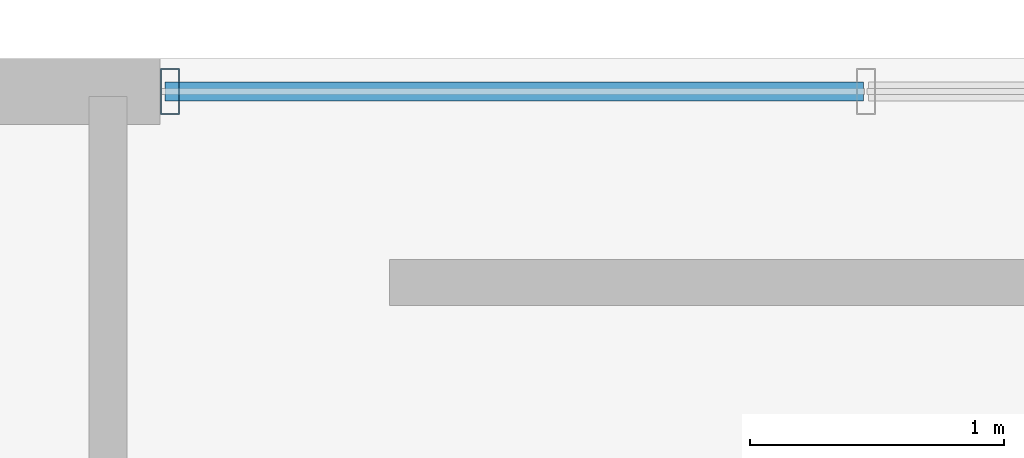
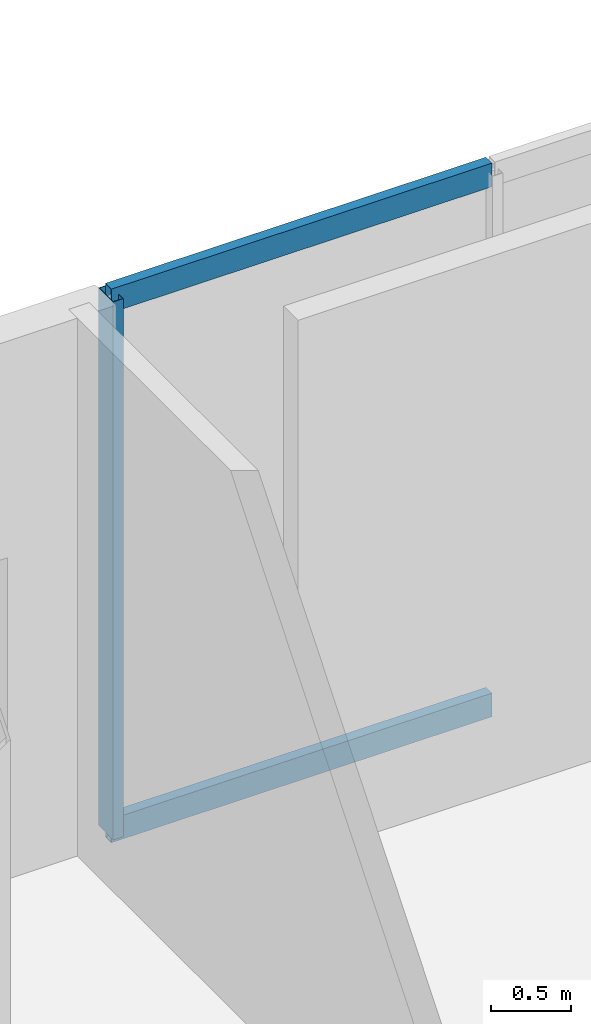
# One storey, part 2 of 10: 3 members, 1 element without a shape of its own.
"""IFC4 building model written with IfcOpenShell, lengths in metres."""

import ifcopenshell
import ifcopenshell.guid

model = None  # the IFC model being written
_history = None  # IfcOwnerHistory: only IFC2X3 demands one
_inside = {}  # id of a spatial element -> (the spatial element, [elements in it])
_under = {}  # id of a project, library or spatial element -> (it, [spatial elements below it])
_declared = {}  # id of a project -> (the project, [libraries it declares])
_typed = {}  # id of a type object -> (the type object, [elements of that type])
_made_of = {}  # id of a material, layer set ... -> (it, [elements and type objects made of it])


def new_model(schema):
    """Start an empty IFC model of exactly this schema.

    Asked for "IFC4X3", IfcOpenShell would pick the latest addendum, in which some entities
    have other attributes; the version numbers below select the first issue.
    IFC2X3 requires an IfcOwnerHistory on every rooted entity: one is made here for all.
    """
    global model, _history
    if schema == "IFC4X3":
        model = ifcopenshell.file(schema_version=(4, 3, 0, 0))
    else:
        model = ifcopenshell.file(schema=schema)
    _inside.clear()
    _under.clear()
    _declared.clear()
    _typed.clear()
    _made_of.clear()
    _history = None
    if model.schema == "IFC2X3":
        org = make("IfcOrganization", Name="unknown")
        user = make(
            "IfcPersonAndOrganization",
            ThePerson=make("IfcPerson", FamilyName="unknown"),
            TheOrganization=org,
        )
        app = make(
            "IfcApplication",
            ApplicationDeveloper=org,
            Version="unknown",
            ApplicationFullName="unknown",
            ApplicationIdentifier="unknown",
        )
        _history = make(
            "IfcOwnerHistory",
            OwningUser=user,
            OwningApplication=app,
            ChangeAction="ADDED",
            CreationDate=0,
        )
    return model


def make(cls, **values):
    """One entity of the class cls with the attributes given. An attribute that is None is left unset."""
    return model.create_entity(
        cls, **{name: value for name, value in values.items() if value is not None}
    )


def rooted(cls, **values):
    """An entity with a GlobalId (a new one), such as an element, a storey or a relation."""
    return make(cls, GlobalId=ifcopenshell.guid.new(), OwnerHistory=_history, **values)


def si_unit(unit_type, name, prefix=None):
    """IfcSIUnit, for example si_unit("LENGTHUNIT", "METRE", prefix="MILLI")."""
    return make("IfcSIUnit", UnitType=unit_type, Prefix=prefix, Name=name)


def assignment(units):
    """IfcUnitAssignment: the units of a project."""
    return None if units is None else make("IfcUnitAssignment", Units=units)


def point(xyz):
    """IfcCartesianPoint."""
    return None if xyz is None else make("IfcCartesianPoint", Coordinates=xyz)


def direction(xyz):
    """IfcDirection."""
    return None if xyz is None else make("IfcDirection", DirectionRatios=xyz)


def frame(location, z_axis=None, x_axis=None):
    """IfcAxis2Placement3D, a coordinate frame: its origin and axes. An axis left out is left unset."""
    return make(
        "IfcAxis2Placement3D",
        Location=point(location),
        Axis=direction(z_axis),
        RefDirection=direction(x_axis),
    )


def frame_2d(location, x_axis=None):
    """IfcAxis2Placement2D, a coordinate frame in the plane: its origin and x axis."""
    return make(
        "IfcAxis2Placement2D", Location=point(location), RefDirection=direction(x_axis)
    )


def origin():
    """The frame at (0, 0, 0) with its axes left unset."""
    return frame((0.0, 0.0, 0.0))


def origin_2d():
    """The frame at (0, 0) in the plane with its x axis left unset."""
    return frame_2d((0.0, 0.0))


def place(relative_to, where):
    """IfcLocalPlacement: puts the frame where relative to a parent placement (None: the world)."""
    return make(
        "IfcLocalPlacement", PlacementRelTo=relative_to, RelativePlacement=where
    )


def context(
    kind, dimensions, precision=None, world=None, true_north=None, identifier=None
):
    """IfcGeometricRepresentationContext, for example the 3D "Model" context."""
    return make(
        "IfcGeometricRepresentationContext",
        ContextIdentifier=identifier,
        ContextType=kind,
        CoordinateSpaceDimension=dimensions,
        Precision=precision,
        WorldCoordinateSystem=world,
        TrueNorth=true_north,
    )


def subcontext(parent, identifier, kind, view, scale=None):
    """IfcGeometricRepresentationSubContext, for example "Body" below "Model"."""
    return make(
        "IfcGeometricRepresentationSubContext",
        ContextIdentifier=identifier,
        ContextType=kind,
        ParentContext=parent,
        TargetScale=scale,
        TargetView=view,
    )


def project(units=None, contexts=None):
    """IfcProject with its units and contexts."""
    return rooted(
        "IfcProject",
        Name="project",
        RepresentationContexts=contexts,
        UnitsInContext=assignment(units),
    )


def spatial(cls, under=None, at=None, **own):
    """A site, building, storey or space (cls), placed at a placement, below another one or the project."""
    s = rooted(cls, ObjectPlacement=at, **own)
    if under is not None:
        _under.setdefault(under.id(), (under, []))[1].append(s)
    return s


def profile(cls, at=None, kind="AREA", **sizes):
    """A parametric profile (cls). Its sizes go by their IFC names, for example OverallWidth=200.0."""
    return make(cls, ProfileType=kind, Position=at, **sizes)


def hollow_rectangle(**sizes):
    """IfcRectangleHollowProfileDef."""
    return profile("IfcRectangleHollowProfileDef", **sizes)


def extrude(swept, where, along, depth):
    """IfcExtrudedAreaSolid: the profile swept, set in the frame where, extruded along a direction by depth."""
    return make(
        "IfcExtrudedAreaSolid",
        SweptArea=swept,
        Position=where,
        ExtrudedDirection=direction(along),
        Depth=depth,
    )


def shape(context_of_items, identifier, shape_type, items):
    """IfcShapeRepresentation: the items that make up one representation, for example the "Body"."""
    return make(
        "IfcShapeRepresentation",
        ContextOfItems=context_of_items,
        RepresentationIdentifier=identifier,
        RepresentationType=shape_type,
        Items=items,
    )


def material(Name=None, Category=None):
    """IfcMaterial."""
    return make("IfcMaterial", Name=Name, Category=Category)


def material_profile(
    of_material, cross_section, Name=None, Category=None, Priority=None
):
    """IfcMaterialProfile: a cross section and its material."""
    return make(
        "IfcMaterialProfile",
        Name=Name,
        Material=of_material,
        Profile=cross_section,
        Priority=Priority,
        Category=Category,
    )


def profile_set(profiles, Name=None, composite=None):
    """IfcMaterialProfileSet."""
    return make(
        "IfcMaterialProfileSet",
        Name=Name,
        MaterialProfiles=profiles,
        CompositeProfile=composite,
    )


def made_of(thing, what):
    """Note that an element or type object is made of a material, layer set ...; save() writes the relation."""
    if what is not None:
        _made_of.setdefault(what.id(), (what, []))[1].append(thing)
    return thing


def type_object(cls, material=None, **own):
    """A type object (cls), such as IfcWallType, which elements share."""
    return made_of(rooted(cls, **own), material)


def element(
    cls,
    number,
    at=None,
    inside=None,
    cuts=None,
    type_object=None,
    material=None,
    context=None,
    identifier="Body",
    shape_type=None,
    held_by="IfcProductDefinitionShape",
    body=None,
    shapes=None,
    **own,
):
    """One element of the class cls, such as IfcWall. Its Tag is "e" and its number.

    at: its placement. inside: the storey or other place that contains it. cuts: it is an
    opening in that element (IfcRelVoidsElement). A single representation is given by context,
    identifier, shape_type and body (its items); several are given by shapes. held_by: the class
    of the entity that holds the representations. save() writes the other relations.
    """
    e = rooted(cls, Tag="e%d" % number, ObjectPlacement=at, **own)
    if body is not None:
        shapes = [shape(context, identifier, shape_type, body)]
    if shapes is not None:
        e.Representation = make(held_by, Representations=shapes)
    if inside is not None:
        _inside.setdefault(inside.id(), (inside, []))[1].append(e)
    if cuts is not None:
        rooted(
            "IfcRelVoidsElement", RelatingBuildingElement=cuts, RelatedOpeningElement=e
        )
    if type_object is not None:
        _typed.setdefault(type_object.id(), (type_object, []))[1].append(e)
    return made_of(e, material)


def aggregate(whole, parts):
    """IfcRelAggregates: a whole, such as a stair, and the parts it consists of."""
    return rooted("IfcRelAggregates", RelatingObject=whole, RelatedObjects=parts)


def save(model, path):
    """Write the relations noted so far, then the file.

    IfcRelAggregates (storeys below a building ...), IfcRelContainedInSpatialStructure (elements
    in a storey), IfcRelDefinesByType, IfcRelAssociatesMaterial and IfcRelDeclares: one each for
    every whole, place, type object, material and project.
    """
    for whole, parts in _under.values():
        aggregate(whole, parts)
    for where, things in _inside.values():
        rooted(
            "IfcRelContainedInSpatialStructure",
            RelatedElements=things,
            RelatingStructure=where,
        )
    for kind, things in _typed.values():
        rooted("IfcRelDefinesByType", RelatedObjects=things, RelatingType=kind)
    for what, things in _made_of.values():
        rooted("IfcRelAssociatesMaterial", RelatedObjects=things, RelatingMaterial=what)
    for by, libraries in _declared.values():
        rooted("IfcRelDeclares", RelatingContext=by, RelatedDefinitions=libraries)
    model.write(path)


model = new_model("IFC4")

# Units and contexts
model_context = context("Model", 3, precision=1e-05, world=origin(), true_north=direction((0.0, 1.0)))
body_context = subcontext(model_context, "Body", "Model", "MODEL_VIEW")
ifc_project = project(units=[si_unit("LENGTHUNIT", "METRE"), si_unit("AREAUNIT", "SQUARE_METRE"), si_unit("VOLUMEUNIT", "CUBIC_METRE"), si_unit("PLANEANGLEUNIT", "RADIAN"), si_unit("MASSUNIT", "GRAM", prefix="KILO")], contexts=[model_context])

# Site, building, storey
site_placement = place(None, origin())
site = spatial("IfcSite", under=ifc_project, at=site_placement, CompositionType="ELEMENT")
building_placement = place(site_placement, origin())
building = spatial("IfcBuilding", under=site, at=building_placement, Name="Ventersveld Concourse Tower", CompositionType="ELEMENT")
storey_placement = place(building_placement, frame((0.0, 0.0, 362.25)))
storey = spatial("IfcBuildingStorey", under=building, at=storey_placement, Name="L89", CompositionType="ELEMENT", Elevation=362.25)

# Curtain wall, members
ifc_material = material(Name="Anodised aluminium EN AW-6063-T6", Category="aluminium")
curtain_wall_type = type_object("IfcCurtainWallType", Name="CW-SLOB-3", PredefinedType="NOTDEFINED", material=ifc_material)
curtain_wall_placement = place(storey_placement, origin())
curtain_wall = element("IfcCurtainWall", 1, at=curtain_wall_placement, inside=storey, type_object=curtain_wall_type, Name="L89 L89 High-Zone Observatory Curtain Wall West", PredefinedType="NOTDEFINED")
ifc_material_profile_1 = material_profile(ifc_material, hollow_rectangle(XDim=0.074951171875, YDim=0.179931640625, WallThickness=0.00390625, at=origin_2d()), Name="ALU 180x75x4")
ifc_profile_set_1 = profile_set([ifc_material_profile_1], Name="Anodised aluminium EN AW-6063-T6")
member_type_1 = type_object("IfcMemberType", Name="CWM-180x75", PredefinedType="MULLION", material=ifc_profile_set_1)
member_1_placement = place(storey_placement, frame((23.43994140625, 30.489990234375, 0.0), z_axis=(0.0, 0.0, 1.0), x_axis=(1.0, 0.0, 0.0)))
member_1 = element("IfcMember", 2, at=member_1_placement, type_object=member_type_1, Name="CW-L89-N1 Mullion 01", PredefinedType="MULLION", context=body_context, shape_type="SweptSolid", body=[
    extrude(hollow_rectangle(XDim=0.074951171875, YDim=0.179931640625, WallThickness=0.00390625, at=origin_2d()), origin(), (0.0, 0.0, 1.0), 4.10009765625),
])
ifc_material_profile_2 = material_profile(ifc_material, hollow_rectangle(XDim=0.074951171875, YDim=0.179931640625, WallThickness=0.00390625, at=origin_2d()), Name="ALU 180x75x4")
ifc_profile_set_2 = profile_set([ifc_material_profile_2], Name="Anodised aluminium EN AW-6063-T6")
member_type_2 = type_object("IfcMemberType", Name="CWT-180x75", PredefinedType="USERDEFINED", material=ifc_profile_set_2)
member_2_placement = place(storey_placement, frame((23.419921875, 30.489990234375, 0.030029296875), z_axis=(1.0, 0.0, 0.0), x_axis=(0.0, 1.0, 0.0)))
member_2 = element("IfcMember", 3, at=member_2_placement, type_object=member_type_2, Name="CW-L89-N1 Transom 1-01", ObjectType="TRANSOM", PredefinedType="USERDEFINED", context=body_context, shape_type="SweptSolid", body=[
    extrude(hollow_rectangle(XDim=0.074951171875, YDim=0.179931640625, WallThickness=0.00390625, at=origin_2d()), origin(), (0.0, 0.0, 1.0), 2.7451171875),
])
member_3_placement = place(storey_placement, frame((23.419921875, 30.489990234375, 4.070068359375), z_axis=(1.0, 0.0, 0.0), x_axis=(0.0, 1.0, 0.0)))
member_3 = element("IfcMember", 4, at=member_3_placement, type_object=member_type_2, Name="CW-L89-N1 Transom 2-01", ObjectType="TRANSOM", PredefinedType="USERDEFINED", context=body_context, shape_type="SweptSolid", body=[
    extrude(hollow_rectangle(XDim=0.074951171875, YDim=0.179931640625, WallThickness=0.00390625, at=origin_2d()), origin(), (0.0, 0.0, 1.0), 2.7451171875),
])
aggregate(curtain_wall, [member_1, member_2, member_3])

save(model, "model.ifc")
